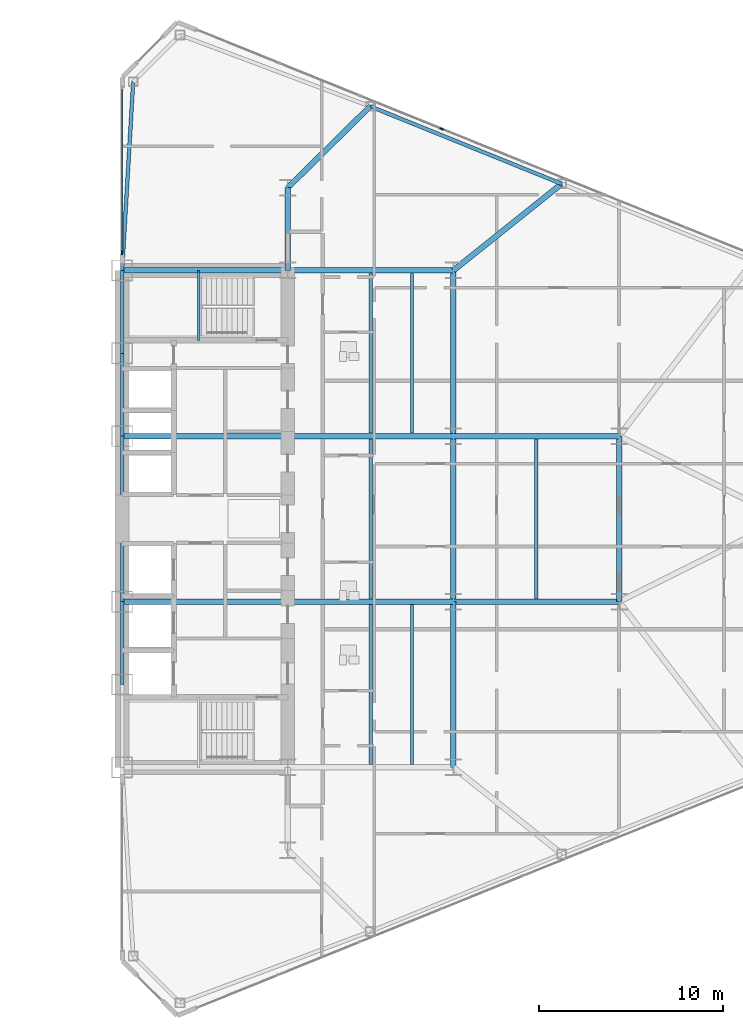
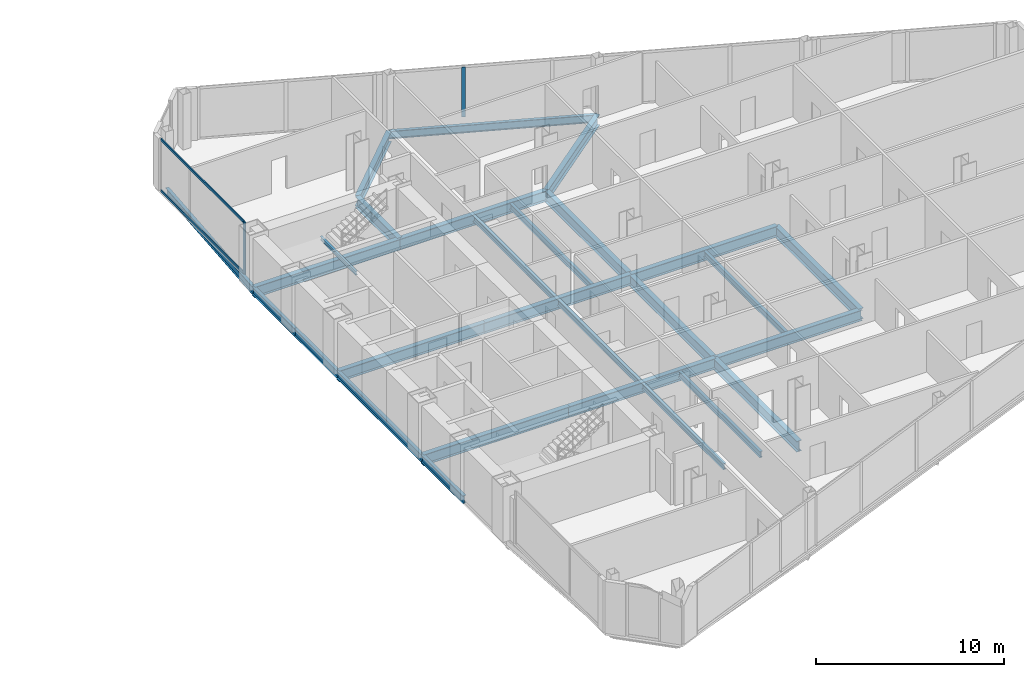
# One storey, part 11 of 25: 28 beams, 4 members, 2 elements without a shape of their own.
"""IFC4 building model written with IfcOpenShell, lengths in metres."""

import ifcopenshell
import ifcopenshell.guid

model = None  # the IFC model being written
_history = None  # IfcOwnerHistory: only IFC2X3 demands one
_inside = {}  # id of a spatial element -> (the spatial element, [elements in it])
_under = {}  # id of a project, library or spatial element -> (it, [spatial elements below it])
_declared = {}  # id of a project -> (the project, [libraries it declares])
_typed = {}  # id of a type object -> (the type object, [elements of that type])
_made_of = {}  # id of a material, layer set ... -> (it, [elements and type objects made of it])


def new_model(schema):
    """Start an empty IFC model of exactly this schema.

    Asked for "IFC4X3", IfcOpenShell would pick the latest addendum, in which some entities
    have other attributes; the version numbers below select the first issue.
    IFC2X3 requires an IfcOwnerHistory on every rooted entity: one is made here for all.
    """
    global model, _history
    if schema == "IFC4X3":
        model = ifcopenshell.file(schema_version=(4, 3, 0, 0))
    else:
        model = ifcopenshell.file(schema=schema)
    _inside.clear()
    _under.clear()
    _declared.clear()
    _typed.clear()
    _made_of.clear()
    _history = None
    if model.schema == "IFC2X3":
        org = make("IfcOrganization", Name="unknown")
        user = make(
            "IfcPersonAndOrganization",
            ThePerson=make("IfcPerson", FamilyName="unknown"),
            TheOrganization=org,
        )
        app = make(
            "IfcApplication",
            ApplicationDeveloper=org,
            Version="unknown",
            ApplicationFullName="unknown",
            ApplicationIdentifier="unknown",
        )
        _history = make(
            "IfcOwnerHistory",
            OwningUser=user,
            OwningApplication=app,
            ChangeAction="ADDED",
            CreationDate=0,
        )
    return model


def make(cls, **values):
    """One entity of the class cls with the attributes given. An attribute that is None is left unset."""
    return model.create_entity(
        cls, **{name: value for name, value in values.items() if value is not None}
    )


def rooted(cls, **values):
    """An entity with a GlobalId (a new one), such as an element, a storey or a relation."""
    return make(cls, GlobalId=ifcopenshell.guid.new(), OwnerHistory=_history, **values)


def si_unit(unit_type, name, prefix=None):
    """IfcSIUnit, for example si_unit("LENGTHUNIT", "METRE", prefix="MILLI")."""
    return make("IfcSIUnit", UnitType=unit_type, Prefix=prefix, Name=name)


def assignment(units):
    """IfcUnitAssignment: the units of a project."""
    return None if units is None else make("IfcUnitAssignment", Units=units)


def point(xyz):
    """IfcCartesianPoint."""
    return None if xyz is None else make("IfcCartesianPoint", Coordinates=xyz)


def direction(xyz):
    """IfcDirection."""
    return None if xyz is None else make("IfcDirection", DirectionRatios=xyz)


def frame(location, z_axis=None, x_axis=None):
    """IfcAxis2Placement3D, a coordinate frame: its origin and axes. An axis left out is left unset."""
    return make(
        "IfcAxis2Placement3D",
        Location=point(location),
        Axis=direction(z_axis),
        RefDirection=direction(x_axis),
    )


def frame_2d(location, x_axis=None):
    """IfcAxis2Placement2D, a coordinate frame in the plane: its origin and x axis."""
    return make(
        "IfcAxis2Placement2D", Location=point(location), RefDirection=direction(x_axis)
    )


def origin():
    """The frame at (0, 0, 0) with its axes left unset."""
    return frame((0.0, 0.0, 0.0))


def origin_2d():
    """The frame at (0, 0) in the plane with its x axis left unset."""
    return frame_2d((0.0, 0.0))


def place(relative_to, where):
    """IfcLocalPlacement: puts the frame where relative to a parent placement (None: the world)."""
    return make(
        "IfcLocalPlacement", PlacementRelTo=relative_to, RelativePlacement=where
    )


def context(
    kind, dimensions, precision=None, world=None, true_north=None, identifier=None
):
    """IfcGeometricRepresentationContext, for example the 3D "Model" context."""
    return make(
        "IfcGeometricRepresentationContext",
        ContextIdentifier=identifier,
        ContextType=kind,
        CoordinateSpaceDimension=dimensions,
        Precision=precision,
        WorldCoordinateSystem=world,
        TrueNorth=true_north,
    )


def subcontext(parent, identifier, kind, view, scale=None):
    """IfcGeometricRepresentationSubContext, for example "Body" below "Model"."""
    return make(
        "IfcGeometricRepresentationSubContext",
        ContextIdentifier=identifier,
        ContextType=kind,
        ParentContext=parent,
        TargetScale=scale,
        TargetView=view,
    )


def project(units=None, contexts=None):
    """IfcProject with its units and contexts."""
    return rooted(
        "IfcProject",
        Name="project",
        RepresentationContexts=contexts,
        UnitsInContext=assignment(units),
    )


def spatial(cls, under=None, at=None, **own):
    """A site, building, storey or space (cls), placed at a placement, below another one or the project."""
    s = rooted(cls, ObjectPlacement=at, **own)
    if under is not None:
        _under.setdefault(under.id(), (under, []))[1].append(s)
    return s


def profile(cls, at=None, kind="AREA", **sizes):
    """A parametric profile (cls). Its sizes go by their IFC names, for example OverallWidth=200.0."""
    return make(cls, ProfileType=kind, Position=at, **sizes)


def rectangle(**sizes):
    """IfcRectangleProfileDef."""
    return profile("IfcRectangleProfileDef", **sizes)


def i_section(**sizes):
    """IfcIShapeProfileDef."""
    return profile("IfcIShapeProfileDef", **sizes)


def extrude(swept, where, along, depth):
    """IfcExtrudedAreaSolid: the profile swept, set in the frame where, extruded along a direction by depth."""
    return make(
        "IfcExtrudedAreaSolid",
        SweptArea=swept,
        Position=where,
        ExtrudedDirection=direction(along),
        Depth=depth,
    )


def shape(context_of_items, identifier, shape_type, items):
    """IfcShapeRepresentation: the items that make up one representation, for example the "Body"."""
    return make(
        "IfcShapeRepresentation",
        ContextOfItems=context_of_items,
        RepresentationIdentifier=identifier,
        RepresentationType=shape_type,
        Items=items,
    )


def source(mapping_origin, context_of_items, identifier, shape_type, items):
    """IfcRepresentationMap: a shape defined once, which mapped items show again and again."""
    return make(
        "IfcRepresentationMap",
        MappingOrigin=mapping_origin,
        MappedRepresentation=shape(context_of_items, identifier, shape_type, items),
    )


def transform(
    local_origin,
    x_axis=None,
    y_axis=None,
    z_axis=None,
    scale=None,
    scale2=None,
    scale3=None,
    uniform=True,
):
    """IfcCartesianTransformationOperator3D, or its non-uniform kind. x_axis, y_axis, z_axis: its Axis1, 2, 3."""
    if uniform:
        return make(
            "IfcCartesianTransformationOperator3D",
            Axis1=direction(x_axis),
            Axis2=direction(y_axis),
            LocalOrigin=point(local_origin),
            Scale=scale,
            Axis3=direction(z_axis),
        )
    return make(
        "IfcCartesianTransformationOperator3DnonUniform",
        Axis1=direction(x_axis),
        Axis2=direction(y_axis),
        LocalOrigin=point(local_origin),
        Scale=scale,
        Axis3=direction(z_axis),
        Scale2=scale2,
        Scale3=scale3,
    )


def mapped(mapping_source, mapping_target):
    """IfcMappedItem: shows the shape of a source again, moved by a transform."""
    return make(
        "IfcMappedItem", MappingSource=mapping_source, MappingTarget=mapping_target
    )


def material(Name=None, Category=None):
    """IfcMaterial."""
    return make("IfcMaterial", Name=Name, Category=Category)


def layer(
    of_material, thickness, ventilated=None, Name=None, Category=None, Priority=None
):
    """IfcMaterialLayer: one layer of a wall or slab, of a material (None: an air gap)."""
    return make(
        "IfcMaterialLayer",
        Material=of_material,
        LayerThickness=thickness,
        IsVentilated=ventilated,
        Name=Name,
        Category=Category,
        Priority=Priority,
    )


def layer_set(layers, Name=None):
    """IfcMaterialLayerSet."""
    return make("IfcMaterialLayerSet", MaterialLayers=layers, LayerSetName=Name)


def material_profile(
    of_material, cross_section, Name=None, Category=None, Priority=None
):
    """IfcMaterialProfile: a cross section and its material."""
    return make(
        "IfcMaterialProfile",
        Name=Name,
        Material=of_material,
        Profile=cross_section,
        Priority=Priority,
        Category=Category,
    )


def profile_set(profiles, Name=None, composite=None):
    """IfcMaterialProfileSet."""
    return make(
        "IfcMaterialProfileSet",
        Name=Name,
        MaterialProfiles=profiles,
        CompositeProfile=composite,
    )


def made_of(thing, what):
    """Note that an element or type object is made of a material, layer set ...; save() writes the relation."""
    if what is not None:
        _made_of.setdefault(what.id(), (what, []))[1].append(thing)
    return thing


def type_object(cls, material=None, **own):
    """A type object (cls), such as IfcWallType, which elements share."""
    return made_of(rooted(cls, **own), material)


def type_shapes(of_type, sources):
    """Give a type object the sources (RepresentationMaps) that its elements show as mapped items."""
    of_type.RepresentationMaps = sources


def element(
    cls,
    number,
    at=None,
    inside=None,
    cuts=None,
    type_object=None,
    material=None,
    context=None,
    identifier="Body",
    shape_type=None,
    held_by="IfcProductDefinitionShape",
    body=None,
    shapes=None,
    **own,
):
    """One element of the class cls, such as IfcWall. Its Tag is "e" and its number.

    at: its placement. inside: the storey or other place that contains it. cuts: it is an
    opening in that element (IfcRelVoidsElement). A single representation is given by context,
    identifier, shape_type and body (its items); several are given by shapes. held_by: the class
    of the entity that holds the representations. save() writes the other relations.
    """
    e = rooted(cls, Tag="e%d" % number, ObjectPlacement=at, **own)
    if body is not None:
        shapes = [shape(context, identifier, shape_type, body)]
    if shapes is not None:
        e.Representation = make(held_by, Representations=shapes)
    if inside is not None:
        _inside.setdefault(inside.id(), (inside, []))[1].append(e)
    if cuts is not None:
        rooted(
            "IfcRelVoidsElement", RelatingBuildingElement=cuts, RelatedOpeningElement=e
        )
    if type_object is not None:
        _typed.setdefault(type_object.id(), (type_object, []))[1].append(e)
    return made_of(e, material)


def aggregate(whole, parts):
    """IfcRelAggregates: a whole, such as a stair, and the parts it consists of."""
    return rooted("IfcRelAggregates", RelatingObject=whole, RelatedObjects=parts)


def save(model, path):
    """Write the relations noted so far, then the file.

    IfcRelAggregates (storeys below a building ...), IfcRelContainedInSpatialStructure (elements
    in a storey), IfcRelDefinesByType, IfcRelAssociatesMaterial and IfcRelDeclares: one each for
    every whole, place, type object, material and project.
    """
    for whole, parts in _under.values():
        aggregate(whole, parts)
    for where, things in _inside.values():
        rooted(
            "IfcRelContainedInSpatialStructure",
            RelatedElements=things,
            RelatingStructure=where,
        )
    for kind, things in _typed.values():
        rooted("IfcRelDefinesByType", RelatedObjects=things, RelatingType=kind)
    for what, things in _made_of.values():
        rooted("IfcRelAssociatesMaterial", RelatedObjects=things, RelatingMaterial=what)
    for by, libraries in _declared.values():
        rooted("IfcRelDeclares", RelatingContext=by, RelatedDefinitions=libraries)
    model.write(path)


model = new_model("IFC4")

# Units and contexts
model_context = context("Model", 3, precision=1e-05, world=origin(), true_north=direction((0.0, 1.0)))
body_context = subcontext(model_context, "Body", "Model", "MODEL_VIEW")
ifc_project = project(units=[si_unit("LENGTHUNIT", "METRE"), si_unit("AREAUNIT", "SQUARE_METRE"), si_unit("VOLUMEUNIT", "CUBIC_METRE"), si_unit("PLANEANGLEUNIT", "RADIAN"), si_unit("MASSUNIT", "GRAM", prefix="KILO")], contexts=[model_context])

# Site, building, storey
site_placement = place(None, origin())
site = spatial("IfcSite", under=ifc_project, at=site_placement, CompositionType="ELEMENT")
building_placement = place(site_placement, origin())
building = spatial("IfcBuilding", under=site, at=building_placement, Name="Seokmaru Belvedere", CompositionType="ELEMENT")
storey_placement = place(building_placement, frame((0.0, 0.0, 26.10009765625)))
storey = spatial("IfcBuildingStorey", under=building, at=storey_placement, Name="L06", CompositionType="ELEMENT", Elevation=26.10009765625)

# Beams
ifc_material_1 = material(Name="Steel SM355 (355 MPa)", Category="steel")
ifc_material_profile_1 = material_profile(ifc_material_1, i_section(OverallWidth=0.199951171875, OverallDepth=0.5, WebThickness=0.010009765625, FlangeThickness=0.01611328125, at=origin_2d()), Name="H-500x200x10x16")
ifc_profile_set_1 = profile_set([ifc_material_profile_1], Name="Steel SM355 (355 MPa)")
beam_type_1 = type_object("IfcBeamType", Name="Perimeter Spandrel Beam H-500", PredefinedType="SPANDREL", material=ifc_profile_set_1)
shared_shape_1 = source(origin(), body_context, "Body", "SweptSolid", [
    extrude(i_section(OverallWidth=0.199951171875, OverallDepth=0.5, WebThickness=0.010009765625, FlangeThickness=0.01611328125, at=origin_2d()), origin(), (0.0, 0.0, 1.0), 4.5),
])
for number, where, z_axis, x_axis, name in (
    (1, (27.5, -9.0, -0.47021484375), (0.0, 1.0, 0.0), (-1.0, 0.0, 0.0), "L06 E Portal Spine Spandrel 2"),
    (2, (27.5, 4.5, -0.47021484375), (0.0, 1.0, 0.0), (-1.0, 0.0, 0.0), "L06 E Portal Spine Spandrel 4"),
    (3, (27.5, 9.0, -0.47021484375), (0.0, 1.0, 0.0), (-1.0, 0.0, 0.0), "L06 E Portal Spine Spandrel 5"),
):
    element("IfcBeam", number, at=place(storey_placement, frame(where, z_axis=z_axis, x_axis=x_axis)), inside=storey, type_object=beam_type_1, Name=name, PredefinedType="SPANDREL", context=body_context, shape_type="MappedRepresentation", body=[
        mapped(shared_shape_1, transform((0.0, 0.0, 0.0), scale=1.0)),
    ])
shared_shape_2 = source(origin(), body_context, "Body", "SweptSolid", [
    extrude(i_section(OverallWidth=0.199951171875, OverallDepth=0.5, WebThickness=0.010009765625, FlangeThickness=0.01611328125, at=origin_2d()), origin(), (0.0, 0.0, 1.0), 9.0),
])
beam_1_placement = place(storey_placement, frame((27.5, -4.5, -0.47021484375), z_axis=(0.0, 1.0, 0.0), x_axis=(-1.0, 0.0, 0.0)))
element("IfcBeam", 4, at=beam_1_placement, inside=storey, type_object=beam_type_1, Name="L06 E Portal Spine Spandrel 3", PredefinedType="SPANDREL", context=body_context, shape_type="MappedRepresentation", body=[
    mapped(shared_shape_2, transform((0.0, 0.0, 0.0), scale=1.0)),
])
ifc_material_profile_2 = material_profile(ifc_material_1, i_section(OverallWidth=0.300048828125, OverallDepth=0.699951171875, WebThickness=0.012939453125, FlangeThickness=0.02392578125, at=origin_2d()), Name="H-700x300x13x24")
ifc_profile_set_2 = profile_set([ifc_material_profile_2], Name="Steel SM355 (355 MPa)")
beam_type_2 = type_object("IfcBeamType", Name="Primary Floor Girder H-700", PredefinedType="BEAM", material=ifc_profile_set_2)
shared_shape_3 = source(origin(), body_context, "Body", "SweptSolid", [
    extrude(i_section(OverallWidth=0.300048828125, OverallDepth=0.699951171875, WebThickness=0.012939453125, FlangeThickness=0.02392578125, at=origin_2d()), origin(), (0.0, 0.0, 1.0), 4.5),
])
beam_2_placement = place(storey_placement, frame((36.5, 13.5, -0.570068359375), z_axis=(0.0, 1.0, 0.0), x_axis=(-1.0, 0.0, 0.0)))
element("IfcBeam", 5, at=beam_2_placement, inside=storey, type_object=beam_type_2, Name="L06 E Core Shoulder Girder N", PredefinedType="BEAM", context=body_context, shape_type="MappedRepresentation", body=[
    mapped(shared_shape_3, transform((0.0, 0.0, 0.0), scale=1.0)),
])
shared_shape_4 = source(origin(), body_context, "Body", "SweptSolid", [
    extrude(i_section(OverallWidth=0.300048828125, OverallDepth=0.699951171875, WebThickness=0.012939453125, FlangeThickness=0.02392578125, at=origin_2d()), origin(), (0.0, 0.0, 1.0), 9.0),
])
for number, where, z_axis, x_axis, name in (
    (6, (45.5, -13.5, -0.570068359375), (0.0, 1.0, 0.0), (-1.0, 0.0, 0.0), "L06 E Interior Grid Girder 1"),
    (7, (45.5, -4.5, -0.570068359375), (0.0, 1.0, 0.0), (-1.0, 0.0, 0.0), "L06 E Interior Grid Girder 2"),
    (8, (45.5, 4.5, -0.570068359375), (0.0, 1.0, 0.0), (-1.0, 0.0, 0.0), "L06 E Interior Grid Girder 3"),
    (9, (27.5, -4.5, -0.570068359375), (1.0, 0.0, 0.0), (0.0, 1.0, 0.0), "L06 E Core Tie Girder 2"),
    (10, (36.5, -4.5, -0.570068359375), (1.0, 0.0, 0.0), (0.0, 1.0, 0.0), "L06 E Wing Primary Girder 2"),
    (11, (27.5, 4.5, -0.570068359375), (1.0, 0.0, 0.0), (0.0, 1.0, 0.0), "L06 E Core Tie Girder 3"),
    (12, (36.5, 4.5, -0.570068359375), (1.0, 0.0, 0.0), (0.0, 1.0, 0.0), "L06 E Wing Primary Girder 3"),
    (13, (27.5, 13.5, -0.570068359375), (1.0, 0.0, 0.0), (0.0, 1.0, 0.0), "L06 E Core Tie Girder 4"),
    (14, (36.5, 13.5, -0.570068359375), (1.0, 0.0, 0.0), (0.0, 1.0, 0.0), "L06 E Wing Primary Girder 4"),
    (15, (45.5, -4.5, -0.570068359375), (1.0, 0.0, 0.0), (0.0, 1.0, 0.0), "L06 E Outer Wing Girder 1"),
    (16, (45.5, 4.5, -0.570068359375), (1.0, 0.0, 0.0), (0.0, 1.0, 0.0), "L06 E Outer Wing Girder 2"),
    (17, (54.5, -4.5, -0.570068359375), (0.0, 1.0, 0.0), (-1.0, 0.0, 0.0), "L06 E Apex Frame Girder"),
):
    element("IfcBeam", number, at=place(storey_placement, frame(where, z_axis=z_axis, x_axis=x_axis)), inside=storey, type_object=beam_type_2, Name=name, PredefinedType="BEAM", context=body_context, shape_type="MappedRepresentation", body=[
        mapped(shared_shape_4, transform((0.0, 0.0, 0.0), scale=1.0)),
    ])
ifc_material_profile_3 = material_profile(ifc_material_1, i_section(OverallWidth=0.18505859375, OverallDepth=0.389892578125, WebThickness=0.008056640625, FlangeThickness=0.011962890625, at=origin_2d()), Name="H-390x185x8x12")
ifc_profile_set_3 = profile_set([ifc_material_profile_3], Name="Steel SM355 (355 MPa)")
beam_type_3 = type_object("IfcBeamType", Name="Secondary Floor Joist H-350", PredefinedType="JOIST", material=ifc_profile_set_3)
shared_shape_5 = source(origin(), body_context, "Body", "SweptSolid", [
    extrude(i_section(OverallWidth=0.18505859375, OverallDepth=0.389892578125, WebThickness=0.008056640625, FlangeThickness=0.011962890625, at=origin_2d()), origin(), (0.0, 0.0, 1.0), 8.68994140625),
])
type_shapes(beam_type_3, [shared_shape_5])
for number, where, z_axis, x_axis, name in (
    (18, (43.25, -13.344970703125, -0.4150390625), (0.0, 1.0, 0.0), (-1.0, 0.0, 0.0), "L06 E Wing Inner Secondary Joist 1"),
    (19, (43.25, 4.655029296875, -0.4150390625), (0.0, 1.0, 0.0), (-1.0, 0.0, 0.0), "L06 E Wing Inner Secondary Joist 2"),
    (20, (41.0, -13.344970703125, -0.4150390625), (0.0, 1.0, 0.0), (-1.0, 0.0, 0.0), "L06 E Secondary Floor Joist 1"),
    (21, (41.0, -4.344970703125, -0.4150390625), (0.0, 1.0, 0.0), (-1.0, 0.0, 0.0), "L06 E Secondary Floor Joist 2"),
    (22, (41.0, 4.655029296875, -0.4150390625), (0.0, 1.0, 0.0), (-1.0, 0.0, 0.0), "L06 E Secondary Floor Joist 3"),
    (23, (50.0, -4.344970703125, -0.4150390625), (0.0, 1.0, 0.0), (-1.0, 0.0, 0.0), "L06 E Outer Bay Secondary Joist"),
):
    element("IfcBeam", number, at=place(storey_placement, frame(where, z_axis=z_axis, x_axis=x_axis)), inside=storey, type_object=beam_type_3, Name=name, PredefinedType="JOIST", context=body_context, shape_type="MappedRepresentation", body=[
        mapped(shared_shape_5, transform((0.0, 0.0, 0.0), scale=1.0)),
    ])
shared_shape_6 = source(origin(), body_context, "Body", "SweptSolid", [
    extrude(i_section(OverallWidth=0.199951171875, OverallDepth=0.5, WebThickness=0.010009765625, FlangeThickness=0.01611328125, at=origin_2d()), origin(), (0.0, 0.0, 1.0), 11.220703125),
])
beam_3_placement = place(storey_placement, frame((40.977294921875, 22.4140625, -0.47021484375), z_axis=(0.926944290816, -0.375198989503, 0.0), x_axis=(0.375198989503, 0.926944290816, 0.0)))
element("IfcBeam", 24, at=beam_3_placement, inside=storey, type_object=beam_type_1, Name="L06 E Faceted Flank Spandrel N-2", PredefinedType="SPANDREL", context=body_context, shape_type="MappedRepresentation", body=[
    mapped(shared_shape_6, transform((0.0, 0.0, 0.0), scale=1.0)),
])
shared_shape_7 = source(origin(), body_context, "Body", "SweptSolid", [
    extrude(i_section(OverallWidth=0.199951171875, OverallDepth=0.5, WebThickness=0.010009765625, FlangeThickness=0.01611328125, at=origin_2d()), origin(), (0.0, 0.0, 1.0), 10.26904296875),
])
type_shapes(beam_type_1, [shared_shape_1, shared_shape_2, shared_shape_6, shared_shape_7])
beam_4_placement = place(storey_placement, frame((28.10009765625, 23.75146484375, -0.47021484375), z_axis=(-0.058437709399, -0.998291056817, 0.0), x_axis=(0.998291056817, -0.058437709399, 0.0)))
element("IfcBeam", 25, at=beam_4_placement, inside=storey, type_object=beam_type_1, Name="L06 E Shoulder Spine Spandrel N", PredefinedType="SPANDREL", context=body_context, shape_type="MappedRepresentation", body=[
    mapped(shared_shape_7, transform((0.0, 0.0, 0.0), scale=1.0)),
])
shared_shape_8 = source(origin(), body_context, "Body", "SweptSolid", [
    extrude(i_section(OverallWidth=0.300048828125, OverallDepth=0.699951171875, WebThickness=0.012939453125, FlangeThickness=0.02392578125, at=origin_2d()), origin(), (0.0, 0.0, 1.0), 6.287353515625),
])
beam_5_placement = place(storey_placement, frame((40.977294921875, 22.4140625, -0.570068359375), z_axis=(-0.712117485263, -0.702060315915, 0.0), x_axis=(0.702060315915, -0.712117485263, 0.0)))
element("IfcBeam", 26, at=beam_5_placement, inside=storey, type_object=beam_type_2, Name="L06 E Flank Radial Floor Girder N-1", PredefinedType="BEAM", context=body_context, shape_type="MappedRepresentation", body=[
    mapped(shared_shape_8, transform((0.0, 0.0, 0.0), scale=1.0)),
])
shared_shape_9 = source(origin(), body_context, "Body", "SweptSolid", [
    extrude(i_section(OverallWidth=0.300048828125, OverallDepth=0.699951171875, WebThickness=0.012939453125, FlangeThickness=0.02392578125, at=origin_2d()), origin(), (0.0, 0.0, 1.0), 7.52880859375),
])
type_shapes(beam_type_2, [shared_shape_3, shared_shape_4, shared_shape_8, shared_shape_9])
beam_6_placement = place(storey_placement, frame((51.378173828125, 18.2041015625, -0.570068359375), z_axis=(-0.780767560736, -0.624821587418, 0.0), x_axis=(0.624821587418, -0.780767560736, 0.0)))
element("IfcBeam", 27, at=beam_6_placement, inside=storey, type_object=beam_type_2, Name="L06 E Flank Radial Floor Girder N-2", PredefinedType="BEAM", context=body_context, shape_type="MappedRepresentation", body=[
    mapped(shared_shape_9, transform((0.0, 0.0, 0.0), scale=1.0)),
])

# Curtain wall, members
ifc_material_2 = material(Name="Bronze Triple Insulating Glass", Category="glass")
ifc_layer = layer(ifc_material_2, 0.2099609375)
ifc_layer_set = layer_set([ifc_layer], Name="Bronze Triple Insulating Glass")
curtain_wall_type = type_object("IfcCurtainWallType", Name="Low-Rise Faceted Crystal Curtain Wall System CW-2", PredefinedType="NOTDEFINED", material=ifc_layer_set)
curtain_wall_1_placement = place(storey_placement, origin())
curtain_wall_1 = element("IfcCurtainWall", 28, at=curtain_wall_1_placement, inside=storey, type_object=curtain_wall_type, Name="L06 Curtain Wall ESP_2", PredefinedType="NOTDEFINED")
ifc_material_3 = material(Name="Anodised Bronze Aluminium", Category="aluminium")
ifc_material_profile_4 = material_profile(ifc_material_3, rectangle(XDim=0.070068359375, YDim=0.1650390625, at=origin_2d()), Name="CW-T-70x165")
ifc_profile_set_4 = profile_set([ifc_material_profile_4], Name="Anodised Bronze Aluminium")
member_type_1 = type_object("IfcMemberType", Name="Bronze Unitised Transom 70x165", PredefinedType="USERDEFINED", material=ifc_profile_set_4)
shared_shape_10 = source(origin(), body_context, "Body", "SweptSolid", [
    extrude(rectangle(XDim=0.070068359375, YDim=0.1650390625, at=origin_2d()), origin(), (0.0, 0.0, 1.0), 8.85009765625),
])
type_shapes(member_type_1, [shared_shape_10])
member_1_placement = place(storey_placement, frame((27.5, 23.35498046875, 0.034912109375), z_axis=(0.0, -1.0, 0.0), x_axis=(1.0, 0.0, 0.0)))
member_1 = element("IfcMember", 29, at=member_1_placement, type_object=member_type_1, Name="CW:L06:ESP_2 Continuous Transom 1", ObjectType="TRANSOM", PredefinedType="USERDEFINED", context=body_context, shape_type="MappedRepresentation", body=[
    mapped(shared_shape_10, transform((0.0, 0.0, 0.0), scale=1.0)),
])
member_2_placement = place(storey_placement, frame((27.5, 23.35498046875, 3.344970703125), z_axis=(0.0, -1.0, 0.0), x_axis=(1.0, 0.0, 0.0)))
member_2 = element("IfcMember", 30, at=member_2_placement, type_object=member_type_1, Name="CW:L06:ESP_2 Continuous Transom 2", ObjectType="TRANSOM", PredefinedType="USERDEFINED", context=body_context, shape_type="MappedRepresentation", body=[
    mapped(shared_shape_10, transform((0.0, 0.0, 0.0), scale=1.0)),
])

# Curtain wall, member
curtain_wall_2_placement = place(storey_placement, origin())
curtain_wall_2 = element("IfcCurtainWall", 31, at=curtain_wall_2_placement, inside=storey, type_object=curtain_wall_type, Name="L06 Curtain Wall EF3", PredefinedType="NOTDEFINED")
ifc_material_profile_5 = material_profile(ifc_material_3, rectangle(XDim=0.074951171875, YDim=0.2099609375, at=origin_2d()), Name="CW-M-75x210")
ifc_profile_set_5 = profile_set([ifc_material_profile_5], Name="Anodised Bronze Aluminium")
member_type_2 = type_object("IfcMemberType", Name="Bronze Unitised Mullion 75x210", PredefinedType="MULLION", material=ifc_profile_set_5)
shared_shape_11 = source(origin(), body_context, "Body", "SweptSolid", [
    extrude(rectangle(XDim=0.074951171875, YDim=0.2099609375, at=origin_2d()), origin(), (0.0, 0.0, 1.0), 3.239990234375),
])
member_3_placement = place(storey_placement, frame((44.855224609375, 21.189453125, 0.06982421875), z_axis=(0.0, 0.0, 1.0), x_axis=(-0.375192321888, -0.926946989637, 0.0)))
member_3 = element("IfcMember", 32, at=member_3_placement, type_object=member_type_2, Name="CW:L06:EF3 Mullion 7", PredefinedType="MULLION", context=body_context, shape_type="MappedRepresentation", body=[
    mapped(shared_shape_11, transform((0.0, 0.0, 0.0), scale=1.0)),
])
aggregate(curtain_wall_2, [member_3])

# Member
shared_shape_12 = source(origin(), body_context, "Body", "SweptSolid", [
    extrude(rectangle(XDim=0.074951171875, YDim=0.2099609375, at=origin_2d()), origin(), (0.0, 0.0, 1.0), 3.3798828125),
])
type_shapes(member_type_2, [shared_shape_11, shared_shape_12])
member_4_placement = place(storey_placement, frame((27.5, 14.467529296875, 0.0), z_axis=(0.0, 0.0, 1.0), x_axis=(1.0, 0.0, 0.0)))
member_4 = element("IfcMember", 33, at=member_4_placement, type_object=member_type_2, Name="CW:L06:ESP_2 Mullion 2", PredefinedType="MULLION", context=body_context, shape_type="MappedRepresentation", body=[
    mapped(shared_shape_12, transform((0.0, 0.0, 0.0), scale=1.0)),
])

aggregate(curtain_wall_1, [member_4, member_1, member_2])

# Beam
ifc_material_profile_6 = material_profile(ifc_material_1, i_section(OverallWidth=0.125, OverallDepth=0.25, WebThickness=0.006103515625, FlangeThickness=0.009033203125, at=origin_2d()), Name="H-250x125x6x9")
ifc_profile_set_6 = profile_set([ifc_material_profile_6], Name="Steel SM355 (355 MPa)")
beam_type_4 = type_object("IfcBeamType", Name="Stair Mid-Landing Support Beam H-250", PredefinedType="JOIST", material=ifc_profile_set_6)
shared_shape_13 = source(origin(), body_context, "Body", "SweptSolid", [
    extrude(i_section(OverallWidth=0.125, OverallDepth=0.25, WebThickness=0.006103515625, FlangeThickness=0.009033203125, at=origin_2d()), origin(), (0.0, 0.0, 1.0), 3.800048828125),
])
type_shapes(beam_type_4, [shared_shape_13])
beam_7_placement = place(storey_placement, frame((31.64990234375, 9.699951171875, 1.474853515625), z_axis=(0.0, 1.0, 0.0), x_axis=(-1.0, 0.0, 0.0)))
element("IfcBeam", 34, at=beam_7_placement, inside=storey, type_object=beam_type_4, Name="L06 Stair ST-E2 Mid-Landing Support Beam 1", PredefinedType="JOIST", context=body_context, shape_type="MappedRepresentation", body=[
    mapped(shared_shape_13, transform((0.0, 0.0, 0.0), scale=1.0)),
])

save(model, "model.ifc")
